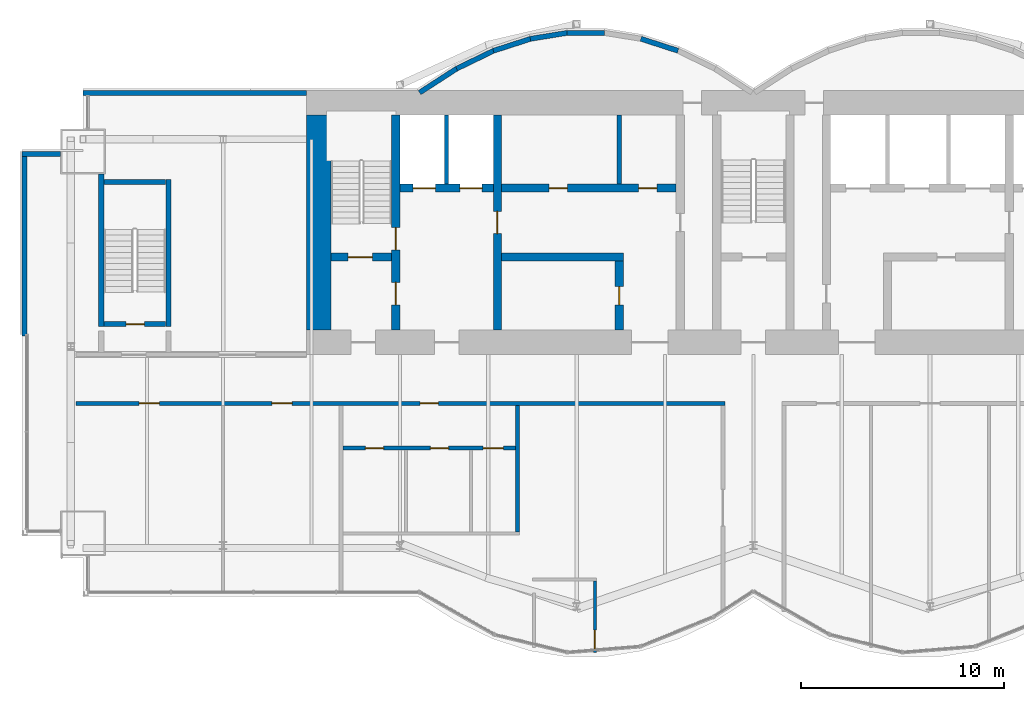
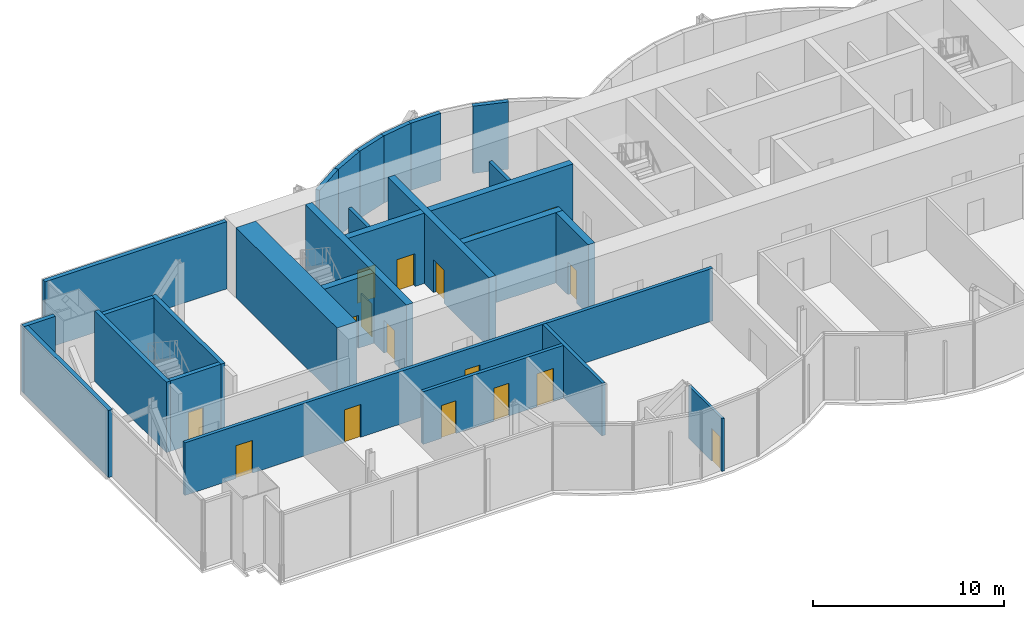
# One storey, part 10 of 16: 26 walls, 17 doors, 17 openings.
"""IFC4 building model written with IfcOpenShell, lengths in metres."""

from ifc_helpers import new_model, si_unit, direction, frame, frame_2d, origin, place, context, subcontext, project, spatial, rectangle, extrude, material, layer, layer_set, layer_usage, type_object, element, fill, save


model = new_model("IFC4")

# Units and contexts
model_context = context("Model", 3, precision=1e-05, world=origin(), true_north=direction((0.0, 1.0)))
body_context = subcontext(model_context, "Body", "Model", "MODEL_VIEW")
ifc_project = project(units=[si_unit("LENGTHUNIT", "METRE"), si_unit("AREAUNIT", "SQUARE_METRE"), si_unit("VOLUMEUNIT", "CUBIC_METRE"), si_unit("PLANEANGLEUNIT", "RADIAN"), si_unit("MASSUNIT", "GRAM", prefix="KILO")], contexts=[model_context])

# Site, building, storey
site_placement = place(None, origin())
site = spatial("IfcSite", under=ifc_project, at=site_placement, CompositionType="ELEMENT")
building_placement = place(site_placement, origin())
building = spatial("IfcBuilding", under=site, at=building_placement, Name="Bicima Exchange Tower", CompositionType="ELEMENT")
storey_placement = place(building_placement, frame((0.0, 0.0, 338.0)))
storey = spatial("IfcBuildingStorey", under=building, at=storey_placement, Name="L76", CompositionType="ELEMENT", Elevation=338.0)

# Wall
ifc_material_1 = material(Name="Gypsum board partition")
ifc_layer_1 = layer(ifc_material_1, 0.199951171875)
ifc_layer_set_1 = layer_set([ifc_layer_1], Name="Gypsum board partition")
wall_type_1 = type_object("IfcWallType", Name="Fire-rated gypsum partition 200 EI120", PredefinedType="PARTITIONING", material=ifc_layer_set_1)
wall_1_placement = place(storey_placement, frame((-15.10009765625, -4.60009765625, 0.0), z_axis=(0.0, 0.0, 1.0), x_axis=(0.0, 1.0, 0.0)))
element("IfcWall", 1, at=wall_1_placement, inside=storey, type_object=wall_type_1, Name="partition wall 9", PredefinedType="PARTITIONING", context=body_context, shape_type="SweptSolid", body=[
    extrude(rectangle(XDim=3.400146484375, YDim=0.199951171875, at=frame_2d((1.7001953125, 0.0))), origin(), (0.0, 0.0, 1.0), 3.3681640625),
])

# Wall, openings, doors
ifc_layer_2 = layer(ifc_material_1, 0.199951171875)
ifc_layer_set_2 = layer_set([ifc_layer_2], Name="Gypsum board partition")
wall_type_2 = type_object("IfcWallType", Name="Fire-rated gypsum partition 200 EI60", PredefinedType="PARTITIONING", material=ifc_layer_set_2)
wall_2_placement = place(storey_placement, frame((-20.199951171875, -17.60009765625, 0.0), z_axis=(0.0, 0.0, 1.0), x_axis=(1.0, 0.0, 0.0)))
wall_2 = element("IfcWall", 2, at=wall_2_placement, inside=storey, type_object=wall_type_2, Name="partition wall 3", PredefinedType="PARTITIONING", context=body_context, shape_type="SweptSolid", body=[
    extrude(rectangle(XDim=8.5, YDim=0.199951171875, at=frame_2d((4.25, 0.0))), origin(), (0.0, 0.0, 1.0), 3.3681640625),
])
opening_1_placement = place(wall_2_placement, frame((1.10009765625, 0.0, 0.0)))
opening_1 = element("IfcOpeningElement", 3, at=opening_1_placement, cuts=wall_2, Name="Opening L76-010", PredefinedType="OPENING", context=body_context, shape_type="SweptSolid", body=[
    extrude(rectangle(XDim=0.89990234375, YDim=2.10009765625, at=frame_2d((0.449951171875, 1.050048828125))), frame((0.0, 0.11181640625, 0.0), z_axis=(0.0, -1.0, 0.0), x_axis=(1.0, 0.0, 0.0)), (0.0, 0.0, 1.0), 0.223876953125),
])
opening_2_placement = place(wall_2_placement, frame((4.300048828125, 0.0, 0.0)))
opening_2 = element("IfcOpeningElement", 4, at=opening_2_placement, cuts=wall_2, Name="Opening L76-011", PredefinedType="OPENING", context=body_context, shape_type="SweptSolid", body=[
    extrude(rectangle(XDim=0.89990234375, YDim=2.10009765625, at=frame_2d((0.449951171875, 1.050048828125))), frame((0.0, 0.11181640625, 0.0), z_axis=(0.0, -1.0, 0.0), x_axis=(1.0, 0.0, 0.0)), (0.0, 0.0, 1.0), 0.223876953125),
])
opening_3_placement = place(wall_2_placement, frame((6.89990234375, 0.0, 0.0)))
opening_3 = element("IfcOpeningElement", 5, at=opening_3_placement, cuts=wall_2, Name="Opening L76-012", PredefinedType="OPENING", context=body_context, shape_type="SweptSolid", body=[
    extrude(rectangle(XDim=1.0, YDim=2.10009765625, at=frame_2d((0.5, 1.050048828125))), frame((0.0, 0.11181640625, 0.0), z_axis=(0.0, -1.0, 0.0), x_axis=(1.0, 0.0, 0.0)), (0.0, 0.0, 1.0), 0.223876953125),
])
ifc_material_2 = material(Name="Steel fire door leaf", Category="steel")
door_type_1 = type_object("IfcDoorType", Name="Door 1000 swing FD30S", OperationType="SINGLE_SWING_LEFT", PredefinedType="DOOR", material=ifc_material_2)
door_1_placement = place(opening_3_placement, frame((1.0, 0.0, 0.0), z_axis=(0.0, 0.0, 1.0), x_axis=(-1.0, 0.0, 0.0)))
door_1 = element("IfcDoor", 6, at=door_1_placement, inside=storey, type_object=door_type_1, Name="Door", OperationType="SINGLE_SWING_RIGHT", OverallHeight=2.10009765625, OverallWidth=1.0, PredefinedType="DOOR", context=body_context, shape_type="SweptSolid", body=[
    extrude(rectangle(XDim=1.0, YDim=2.10009765625, at=frame_2d((0.5, 1.050048828125))), frame((0.0, 0.02490234375, 0.0), z_axis=(0.0, -1.0, 0.0), x_axis=(1.0, 0.0, 0.0)), (0.0, 0.0, 1.0), 0.050048828125),
])
fill(opening_3, door_1)
door_type_2 = type_object("IfcDoorType", Name="Door 900 swing FD30S", OperationType="SINGLE_SWING_LEFT", PredefinedType="DOOR", material=ifc_material_2)
door_2_placement = place(opening_1_placement, frame((0.89990234375, 0.0, 0.0), z_axis=(0.0, 0.0, 1.0), x_axis=(-1.0, 0.0, 0.0)))
door_2 = element("IfcDoor", 7, at=door_2_placement, inside=storey, type_object=door_type_2, Name="Door", OperationType="SINGLE_SWING_LEFT", OverallHeight=2.10009765625, OverallWidth=0.89990234375, PredefinedType="DOOR", context=body_context, shape_type="SweptSolid", body=[
    extrude(rectangle(XDim=0.89990234375, YDim=2.10009765625, at=frame_2d((0.449951171875, 1.050048828125))), frame((0.0, 0.02490234375, 0.0), z_axis=(0.0, -1.0, 0.0), x_axis=(1.0, 0.0, 0.0)), (0.0, 0.0, 1.0), 0.050048828125),
])
fill(opening_1, door_2)
door_3_placement = place(opening_2_placement, frame((0.89990234375, 0.0, 0.0), z_axis=(0.0, 0.0, 1.0), x_axis=(-1.0, 0.0, 0.0)))
door_3 = element("IfcDoor", 8, at=door_3_placement, inside=storey, type_object=door_type_2, Name="Door", OperationType="SINGLE_SWING_RIGHT", OverallHeight=2.10009765625, OverallWidth=0.89990234375, PredefinedType="DOOR", context=body_context, shape_type="SweptSolid", body=[
    extrude(rectangle(XDim=0.89990234375, YDim=2.10009765625, at=frame_2d((0.449951171875, 1.050048828125))), frame((0.0, 0.02490234375, 0.0), z_axis=(0.0, -1.0, 0.0), x_axis=(1.0, 0.0, 0.0)), (0.0, 0.0, 1.0), 0.050048828125),
])
fill(opening_2, door_3)

wall_3_placement = place(storey_placement, frame((-33.340087890625, -15.39990234375, 0.0), z_axis=(0.0, 0.0, 1.0), x_axis=(1.0, 0.0, 0.0)))
wall_3 = element("IfcWall", 9, at=wall_3_placement, inside=storey, type_object=wall_type_2, Name="partition wall 4", PredefinedType="PARTITIONING", context=body_context, shape_type="SweptSolid", body=[
    extrude(rectangle(XDim=31.940185546875, YDim=0.199951171875, at=frame_2d((15.97021484375, 0.0))), origin(), (0.0, 0.0, 1.0), 3.3681640625),
])
opening_4_placement = place(wall_3_placement, frame((3.10009765625, 0.0, 0.0)))
opening_4 = element("IfcOpeningElement", 10, at=opening_4_placement, cuts=wall_3, Name="Opening L76-007", PredefinedType="OPENING", context=body_context, shape_type="SweptSolid", body=[
    extrude(rectangle(XDim=1.0, YDim=2.10009765625, at=frame_2d((0.5, 1.050048828125))), frame((0.0, 0.11181640625, 0.0), z_axis=(0.0, -1.0, 0.0), x_axis=(1.0, 0.0, 0.0)), (0.0, 0.0, 1.0), 0.223876953125),
])
opening_5_placement = place(wall_3_placement, frame((9.639892578125, 0.0, 0.0)))
opening_5 = element("IfcOpeningElement", 11, at=opening_5_placement, cuts=wall_3, Name="Opening L76-008", PredefinedType="OPENING", context=body_context, shape_type="SweptSolid", body=[
    extrude(rectangle(XDim=1.0, YDim=2.10009765625, at=frame_2d((0.5, 1.050048828125))), frame((0.0, 0.11181640625, 0.0), z_axis=(0.0, -1.0, 0.0), x_axis=(1.0, 0.0, 0.0)), (0.0, 0.0, 1.0), 0.223876953125),
])
opening_6_placement = place(wall_3_placement, frame((16.93994140625, 0.0, 0.0)))
opening_6 = element("IfcOpeningElement", 12, at=opening_6_placement, cuts=wall_3, Name="Opening L76-009", PredefinedType="OPENING", context=body_context, shape_type="SweptSolid", body=[
    extrude(rectangle(XDim=0.89990234375, YDim=2.10009765625, at=frame_2d((0.449951171875, 1.050048828125))), frame((0.0, 0.11181640625, 0.0), z_axis=(0.0, -1.0, 0.0), x_axis=(1.0, 0.0, 0.0)), (0.0, 0.0, 1.0), 0.223876953125),
])
door_4_placement = place(opening_4_placement, frame((1.0, 0.0, 0.0), z_axis=(0.0, 0.0, 1.0), x_axis=(-1.0, 0.0, 0.0)))
door_4 = element("IfcDoor", 13, at=door_4_placement, inside=storey, type_object=door_type_1, Name="Door", OperationType="SINGLE_SWING_LEFT", OverallHeight=2.10009765625, OverallWidth=1.0, PredefinedType="DOOR", context=body_context, shape_type="SweptSolid", body=[
    extrude(rectangle(XDim=1.0, YDim=2.10009765625, at=frame_2d((0.5, 1.050048828125))), frame((0.0, 0.02490234375, 0.0), z_axis=(0.0, -1.0, 0.0), x_axis=(1.0, 0.0, 0.0)), (0.0, 0.0, 1.0), 0.050048828125),
])
fill(opening_4, door_4)
door_5_placement = place(opening_5_placement, frame((1.0, 0.0, 0.0), z_axis=(0.0, 0.0, 1.0), x_axis=(-1.0, 0.0, 0.0)))
door_5 = element("IfcDoor", 14, at=door_5_placement, inside=storey, type_object=door_type_1, Name="Door", OperationType="SINGLE_SWING_RIGHT", OverallHeight=2.10009765625, OverallWidth=1.0, PredefinedType="DOOR", context=body_context, shape_type="SweptSolid", body=[
    extrude(rectangle(XDim=1.0, YDim=2.10009765625, at=frame_2d((0.5, 1.050048828125))), frame((0.0, 0.02490234375, 0.0), z_axis=(0.0, -1.0, 0.0), x_axis=(1.0, 0.0, 0.0)), (0.0, 0.0, 1.0), 0.050048828125),
])
fill(opening_5, door_5)
door_6_placement = place(opening_6_placement, frame((0.89990234375, 0.0, 0.0), z_axis=(0.0, 0.0, 1.0), x_axis=(-1.0, 0.0, 0.0)))
door_6 = element("IfcDoor", 15, at=door_6_placement, inside=storey, type_object=door_type_2, Name="Door", OperationType="SINGLE_SWING_RIGHT", OverallHeight=2.10009765625, OverallWidth=0.89990234375, PredefinedType="DOOR", context=body_context, shape_type="SweptSolid", body=[
    extrude(rectangle(XDim=0.89990234375, YDim=2.10009765625, at=frame_2d((0.449951171875, 1.050048828125))), frame((0.0, 0.02490234375, 0.0), z_axis=(0.0, -1.0, 0.0), x_axis=(1.0, 0.0, 0.0)), (0.0, 0.0, 1.0), 0.050048828125),
])
fill(opening_6, door_6)

# Walls
wall_4_placement = place(storey_placement, frame((-11.60009765625, -21.72509765625, 0.0), z_axis=(0.0, 0.0, 1.0), x_axis=(0.0, 1.0, 0.0)))
element("IfcWall", 16, at=wall_4_placement, inside=storey, type_object=wall_type_2, Name="partition wall 18", PredefinedType="PARTITIONING", context=body_context, shape_type="SweptSolid", body=[
    extrude(rectangle(XDim=6.22509765625, YDim=0.199951171875, at=frame_2d((3.112548828125, 0.0))), origin(), (0.0, 0.0, 1.0), 3.3681640625),
])
wall_5_placement = place(storey_placement, frame((-6.60009765625, -4.60009765625, 0.0), z_axis=(0.0, 0.0, 1.0), x_axis=(0.0, 1.0, 0.0)))
element("IfcWall", 17, at=wall_5_placement, inside=storey, type_object=wall_type_2, Name="partition wall 12", PredefinedType="PARTITIONING", context=body_context, shape_type="SweptSolid", body=[
    extrude(rectangle(XDim=3.400146484375, YDim=0.199951171875, at=frame_2d((1.7001953125, 0.0))), origin(), (0.0, 0.0, 1.0), 3.3681640625),
])

# Wall, opening, door
ifc_layer_3 = layer(ifc_material_1, 0.14990234375)
ifc_layer_set_3 = layer_set([ifc_layer_3], Name="Gypsum board partition")
wall_type_3 = type_object("IfcWallType", Name="Gypsum partition 150", PredefinedType="PARTITIONING", material=ifc_layer_set_3)
wall_6_placement = place(storey_placement, frame((-7.800048828125, -27.669921875, 0.0), z_axis=(0.0, 0.0, 1.0), x_axis=(0.0, 1.0, 0.0)))
wall_6 = element("IfcWall", 18, at=wall_6_placement, inside=storey, type_object=wall_type_3, Name="partition wall 20", PredefinedType="PARTITIONING", context=body_context, shape_type="SweptSolid", body=[
    extrude(rectangle(XDim=3.52490234375, YDim=0.14990234375, at=frame_2d((1.762451171875, 0.0))), origin(), (0.0, 0.0, 1.0), 3.3681640625),
])
opening_7_placement = place(wall_6_placement, frame((0.199951171875, 0.0, 0.0)))
opening_7 = element("IfcOpeningElement", 19, at=opening_7_placement, cuts=wall_6, Name="Opening L76-020", PredefinedType="OPENING", context=body_context, shape_type="SweptSolid", body=[
    extrude(rectangle(XDim=0.89990234375, YDim=2.10009765625, at=frame_2d((0.449951171875, 1.050048828125))), frame((0.0, 0.0869140625, 0.0), z_axis=(0.0, -1.0, 0.0), x_axis=(1.0, 0.0, 0.0)), (0.0, 0.0, 1.0), 0.173828125),
])
ifc_material_3 = material(Name="Timber door leaf", Category="wood")
door_type_3 = type_object("IfcDoorType", Name="Door 900 swing", OperationType="SINGLE_SWING_LEFT", PredefinedType="DOOR", material=ifc_material_3)
door_7_placement = place(opening_7_placement, origin())
door_7 = element("IfcDoor", 20, at=door_7_placement, inside=storey, type_object=door_type_3, Name="Door", OperationType="SINGLE_SWING_LEFT", OverallHeight=2.10009765625, OverallWidth=0.89990234375, PredefinedType="DOOR", context=body_context, shape_type="SweptSolid", body=[
    extrude(rectangle(XDim=0.89990234375, YDim=2.10009765625, at=frame_2d((0.449951171875, 1.050048828125))), frame((0.0, 0.02490234375, 0.0), z_axis=(0.0, -1.0, 0.0), x_axis=(1.0, 0.0, 0.0)), (0.0, 0.0, 1.0), 0.050048828125),
])
fill(opening_7, door_7)

# Walls
ifc_material_4 = material(Name="Concrete C40/50", Category="concrete")
ifc_layer_4 = layer(ifc_material_4, 1.199951171875)
ifc_layer_set_4 = layer_set([ifc_layer_4], Name="Concrete C40/50")
wall_type_4 = type_object("IfcWallType", Name="RC core wall 1200 C40/50", PredefinedType="SHEAR", material=ifc_layer_set_4)
wall_7_placement = place(storey_placement, frame((-21.39990234375, -11.800048828125, 0.0), z_axis=(0.0, 0.0, 1.0), x_axis=(0.0, 1.0, 0.0)))
element("IfcWall", 21, at=wall_7_placement, inside=storey, type_object=wall_type_4, Name="Core wall west", PredefinedType="SHEAR", context=body_context, shape_type="SweptSolid", body=[
    extrude(rectangle(XDim=10.60009765625, YDim=1.199951171875, at=frame_2d((5.300048828125, 0.0))), origin(), (0.0, 0.0, 1.0), 4.5),
])
ifc_layer_5 = layer(ifc_material_4, 0.39990234375)
ifc_layer_set_5 = layer_set([ifc_layer_5], Name="Concrete C40/50")
wall_type_5 = type_object("IfcWallType", Name="RC core wall 400 C40/50", PredefinedType="SHEAR", material=ifc_layer_set_5)
wall_8_placement = place(storey_placement, frame((-12.39990234375, -8.199951171875, 0.0), z_axis=(0.0, 0.0, 1.0), x_axis=(1.0, 0.0, 0.0)))
element("IfcWall", 22, at=wall_8_placement, inside=storey, type_object=wall_type_5, Name="shear wall 2", PredefinedType="SHEAR", context=body_context, shape_type="SweptSolid", body=[
    extrude(rectangle(XDim=6.0, YDim=0.39990234375, at=frame_2d((3.0, 0.0))), origin(), (0.0, 0.0, 1.0), 4.5),
])

# Wall, openings, doors
wall_9_placement = place(storey_placement, frame((-17.39990234375, -4.800048828125, 0.0), z_axis=(0.0, 0.0, 1.0), x_axis=(1.0, 0.0, 0.0)))
wall_9 = element("IfcWall", 23, at=wall_9_placement, inside=storey, type_object=wall_type_5, Name="shear wall 6", PredefinedType="SHEAR", context=body_context, shape_type="SweptSolid", body=[
    extrude(rectangle(XDim=13.599853515625, YDim=0.39990234375, at=frame_2d((6.7998046875, 0.0))), origin(), (0.0, 0.0, 1.0), 4.5),
])
opening_8_placement = place(wall_9_placement, frame((0.64990234375, 0.0, 0.0)))
opening_8 = element("IfcOpeningElement", 24, at=opening_8_placement, cuts=wall_9, Name="Opening LD-FF1-L76", PredefinedType="OPENING", context=body_context, shape_type="SweptSolid", body=[
    extrude(rectangle(XDim=1.10009765625, YDim=2.10009765625, at=frame_2d((0.550048828125, 1.050048828125))), frame((0.0, 0.2119140625, 0.0), z_axis=(0.0, -1.0, 0.0), x_axis=(1.0, 0.0, 0.0)), (0.0, 0.0, 1.0), 0.423828125),
])
opening_9_placement = place(wall_9_placement, frame((2.949951171875, 0.0, 0.0)))
opening_9 = element("IfcOpeningElement", 25, at=opening_9_placement, cuts=wall_9, Name="Opening LD-FF3-L76", PredefinedType="OPENING", context=body_context, shape_type="SweptSolid", body=[
    extrude(rectangle(XDim=1.10009765625, YDim=2.10009765625, at=frame_2d((0.550048828125, 1.050048828125))), frame((0.0, 0.2119140625, 0.0), z_axis=(0.0, -1.0, 0.0), x_axis=(1.0, 0.0, 0.0)), (0.0, 0.0, 1.0), 0.423828125),
])
opening_10_placement = place(wall_9_placement, frame((7.35009765625, 0.0, 0.0)))
opening_10 = element("IfcOpeningElement", 26, at=opening_10_placement, cuts=wall_9, Name="Opening L76-C12", PredefinedType="OPENING", context=body_context, shape_type="SweptSolid", body=[
    extrude(rectangle(XDim=0.89990234375, YDim=2.10009765625, at=frame_2d((0.449951171875, 1.050048828125))), frame((0.0, 0.2119140625, 0.0), z_axis=(0.0, -1.0, 0.0), x_axis=(1.0, 0.0, 0.0)), (0.0, 0.0, 1.0), 0.423828125),
])
opening_11_placement = place(wall_9_placement, frame((11.75, 0.0, 0.0)))
opening_11 = element("IfcOpeningElement", 27, at=opening_11_placement, cuts=wall_9, Name="Opening L76-C13", PredefinedType="OPENING", context=body_context, shape_type="SweptSolid", body=[
    extrude(rectangle(XDim=0.89990234375, YDim=2.10009765625, at=frame_2d((0.449951171875, 1.050048828125))), frame((0.0, 0.2119140625, 0.0), z_axis=(0.0, -1.0, 0.0), x_axis=(1.0, 0.0, 0.0)), (0.0, 0.0, 1.0), 0.423828125),
])
door_8_placement = place(opening_10_placement, origin())
door_8 = element("IfcDoor", 28, at=door_8_placement, inside=storey, type_object=door_type_2, Name="Core door", OperationType="SINGLE_SWING_RIGHT", OverallHeight=2.10009765625, OverallWidth=0.89990234375, PredefinedType="DOOR", context=body_context, shape_type="SweptSolid", body=[
    extrude(rectangle(XDim=0.89990234375, YDim=2.10009765625, at=frame_2d((0.449951171875, 1.050048828125))), frame((0.0, 0.02490234375, 0.0), z_axis=(0.0, -1.0, 0.0), x_axis=(1.0, 0.0, 0.0)), (0.0, 0.0, 1.0), 0.050048828125),
])
fill(opening_10, door_8)
door_9_placement = place(opening_11_placement, origin())
door_9 = element("IfcDoor", 29, at=door_9_placement, inside=storey, type_object=door_type_2, Name="Core door", OperationType="SINGLE_SWING_LEFT", OverallHeight=2.10009765625, OverallWidth=0.89990234375, PredefinedType="DOOR", context=body_context, shape_type="SweptSolid", body=[
    extrude(rectangle(XDim=0.89990234375, YDim=2.10009765625, at=frame_2d((0.449951171875, 1.050048828125))), frame((0.0, 0.02490234375, 0.0), z_axis=(0.0, -1.0, 0.0), x_axis=(1.0, 0.0, 0.0)), (0.0, 0.0, 1.0), 0.050048828125),
])
fill(opening_11, door_9)
ifc_material_5 = material(Name="Stainless steel", Category="steel")
door_type_4 = type_object("IfcDoorType", Name="Lift landing door 1100 sliding", OperationType="DOUBLE_DOOR_SLIDING", PredefinedType="DOOR", material=ifc_material_5)
door_10_placement = place(opening_8_placement, origin())
door_10 = element("IfcDoor", 30, at=door_10_placement, inside=storey, type_object=door_type_4, Name="Lift landing door FF1", OperationType="DOUBLE_DOOR_SLIDING", OverallHeight=2.10009765625, OverallWidth=1.10009765625, PredefinedType="DOOR", context=body_context, shape_type="SweptSolid", body=[
    extrude(rectangle(XDim=1.10009765625, YDim=2.10009765625, at=frame_2d((0.550048828125, 1.050048828125))), frame((0.0, 0.02490234375, 0.0), z_axis=(0.0, -1.0, 0.0), x_axis=(1.0, 0.0, 0.0)), (0.0, 0.0, 1.0), 0.050048828125),
])
fill(opening_8, door_10)
door_11_placement = place(opening_9_placement, origin())
door_11 = element("IfcDoor", 31, at=door_11_placement, inside=storey, type_object=door_type_4, Name="Lift landing door FF3", OperationType="DOUBLE_DOOR_SLIDING", OverallHeight=2.10009765625, OverallWidth=1.10009765625, PredefinedType="DOOR", context=body_context, shape_type="SweptSolid", body=[
    extrude(rectangle(XDim=1.10009765625, YDim=2.10009765625, at=frame_2d((0.550048828125, 1.050048828125))), frame((0.0, 0.02490234375, 0.0), z_axis=(0.0, -1.0, 0.0), x_axis=(1.0, 0.0, 0.0)), (0.0, 0.0, 1.0), 0.050048828125),
])
fill(opening_9, door_11)

# Wall, opening, door
wall_10_placement = place(storey_placement, frame((-12.60009765625, -11.800048828125, 0.0), z_axis=(0.0, 0.0, 1.0), x_axis=(0.0, 1.0, 0.0)))
wall_10 = element("IfcWall", 32, at=wall_10_placement, inside=storey, type_object=wall_type_5, Name="shear wall 10", PredefinedType="SHEAR", context=body_context, shape_type="SweptSolid", body=[
    extrude(rectangle(XDim=10.60009765625, YDim=0.39990234375, at=frame_2d((5.300048828125, 0.0))), origin(), (0.0, 0.0, 1.0), 4.5),
])
opening_12_placement = place(wall_10_placement, frame((4.75, 0.0, 0.0)))
opening_12 = element("IfcOpeningElement", 33, at=opening_12_placement, cuts=wall_10, Name="Opening L76-C07", PredefinedType="OPENING", context=body_context, shape_type="SweptSolid", body=[
    extrude(rectangle(XDim=1.10009765625, YDim=2.10009765625, at=frame_2d((0.550048828125, 1.050048828125))), frame((0.0, 0.2119140625, 0.0), z_axis=(0.0, -1.0, 0.0), x_axis=(1.0, 0.0, 0.0)), (0.0, 0.0, 1.0), 0.423828125),
])
door_type_5 = type_object("IfcDoorType", Name="Door 1100 swing FD60S", OperationType="SINGLE_SWING_LEFT", PredefinedType="DOOR", material=ifc_material_2)
door_12_placement = place(opening_12_placement, origin())
door_12 = element("IfcDoor", 34, at=door_12_placement, inside=storey, type_object=door_type_5, Name="Core door", OperationType="SINGLE_SWING_LEFT", OverallHeight=2.10009765625, OverallWidth=1.10009765625, PredefinedType="DOOR", context=body_context, shape_type="SweptSolid", body=[
    extrude(rectangle(XDim=1.10009765625, YDim=2.10009765625, at=frame_2d((0.550048828125, 1.050048828125))), frame((0.0, 0.02490234375, 0.0), z_axis=(0.0, -1.0, 0.0), x_axis=(1.0, 0.0, 0.0)), (0.0, 0.0, 1.0), 0.050048828125),
])
fill(opening_12, door_12)

wall_11_placement = place(storey_placement, frame((-6.60009765625, -11.800048828125, 0.0), z_axis=(0.0, 0.0, 1.0), x_axis=(0.0, 1.0, 0.0)))
wall_11 = element("IfcWall", 35, at=wall_11_placement, inside=storey, type_object=wall_type_5, Name="shear wall 11", PredefinedType="SHEAR", context=body_context, shape_type="SweptSolid", body=[
    extrude(rectangle(XDim=3.400146484375, YDim=0.39990234375, at=frame_2d((1.7001953125, 0.0))), origin(), (0.0, 0.0, 1.0), 4.5),
])
opening_13_placement = place(wall_11_placement, frame((1.25, 0.0, 0.0)))
opening_13 = element("IfcOpeningElement", 36, at=opening_13_placement, cuts=wall_11, Name="Opening L76-C14", PredefinedType="OPENING", context=body_context, shape_type="SweptSolid", body=[
    extrude(rectangle(XDim=0.89990234375, YDim=2.10009765625, at=frame_2d((0.449951171875, 1.050048828125))), frame((0.0, 0.2119140625, 0.0), z_axis=(0.0, -1.0, 0.0), x_axis=(1.0, 0.0, 0.0)), (0.0, 0.0, 1.0), 0.423828125),
])
door_13_placement = place(opening_13_placement, origin())
door_13 = element("IfcDoor", 37, at=door_13_placement, inside=storey, type_object=door_type_2, Name="Core door", OperationType="SINGLE_SWING_RIGHT", OverallHeight=2.10009765625, OverallWidth=0.89990234375, PredefinedType="DOOR", context=body_context, shape_type="SweptSolid", body=[
    extrude(rectangle(XDim=0.89990234375, YDim=2.10009765625, at=frame_2d((0.449951171875, 1.050048828125))), frame((0.0, 0.02490234375, 0.0), z_axis=(0.0, -1.0, 0.0), x_axis=(1.0, 0.0, 0.0)), (0.0, 0.0, 1.0), 0.050048828125),
])
fill(opening_13, door_13)

ifc_material_6 = material(Name="Concrete C50/60", Category="concrete")
ifc_layer_6 = layer(ifc_material_6, 0.39990234375)
ifc_layer_set_6 = layer_set([ifc_layer_6], Name="Concrete C50/60")
wall_type_6 = type_object("IfcWallType", Name="RC core wall 400 C50/60", PredefinedType="SHEAR", material=ifc_layer_set_6)
wall_12_placement = place(storey_placement, frame((-20.800048828125, -8.199951171875, 0.0), z_axis=(0.0, 0.0, 1.0), x_axis=(1.0, 0.0, 0.0)))
wall_12 = element("IfcWall", 38, at=wall_12_placement, inside=storey, type_object=wall_type_6, Name="stair wall 1", PredefinedType="SHEAR", context=body_context, shape_type="SweptSolid", body=[
    extrude(rectangle(XDim=3.0, YDim=0.39990234375, at=frame_2d((1.5, 0.0))), origin(), (0.0, 0.0, 1.0), 4.5),
])
opening_14_placement = place(wall_12_placement, frame((0.85009765625, 0.0, 0.0)))
opening_14 = element("IfcOpeningElement", 39, at=opening_14_placement, cuts=wall_12, Name="Opening L76-C01", PredefinedType="OPENING", context=body_context, shape_type="SweptSolid", body=[
    extrude(rectangle(XDim=1.199951171875, YDim=2.10009765625, at=frame_2d((0.60009765625, 1.050048828125))), frame((0.0, 0.2119140625, 0.0), z_axis=(0.0, -1.0, 0.0), x_axis=(1.0, 0.0, 0.0)), (0.0, 0.0, 1.0), 0.423828125),
])
door_type_6 = type_object("IfcDoorType", Name="Door 1200 swing FD60S", OperationType="SINGLE_SWING_LEFT", PredefinedType="DOOR", material=ifc_material_2)
door_14_placement = place(opening_14_placement, origin())
door_14 = element("IfcDoor", 40, at=door_14_placement, inside=storey, type_object=door_type_6, Name="Core door", OperationType="SINGLE_SWING_LEFT", OverallHeight=2.10009765625, OverallWidth=1.199951171875, PredefinedType="DOOR", context=body_context, shape_type="SweptSolid", body=[
    extrude(rectangle(XDim=1.199951171875, YDim=2.10009765625, at=frame_2d((0.60009765625, 1.050048828125))), frame((0.0, 0.02490234375, 0.0), z_axis=(0.0, -1.0, 0.0), x_axis=(1.0, 0.0, 0.0)), (0.0, 0.0, 1.0), 0.050048828125),
])
fill(opening_14, door_14)

# Wall, openings, doors
wall_13_placement = place(storey_placement, frame((-17.60009765625, -11.800048828125, 0.0), z_axis=(0.0, 0.0, 1.0), x_axis=(0.0, 1.0, 0.0)))
wall_13 = element("IfcWall", 41, at=wall_13_placement, inside=storey, type_object=wall_type_6, Name="stair wall 8", PredefinedType="SHEAR", context=body_context, shape_type="SweptSolid", body=[
    extrude(rectangle(XDim=10.60009765625, YDim=0.39990234375, at=frame_2d((5.300048828125, 0.0))), origin(), (0.0, 0.0, 1.0), 4.5),
])
opening_15_placement = place(wall_13_placement, frame((1.25, 0.0, 0.0)))
opening_15 = element("IfcOpeningElement", 42, at=opening_15_placement, cuts=wall_13, Name="Opening L76-C02", PredefinedType="OPENING", context=body_context, shape_type="SweptSolid", body=[
    extrude(rectangle(XDim=1.10009765625, YDim=2.10009765625, at=frame_2d((0.550048828125, 1.050048828125))), frame((0.0, 0.2119140625, 0.0), z_axis=(0.0, -1.0, 0.0), x_axis=(1.0, 0.0, 0.0)), (0.0, 0.0, 1.0), 0.423828125),
])
opening_16_placement = place(wall_13_placement, frame((3.949951171875, 0.0, 0.0)))
opening_16 = element("IfcOpeningElement", 43, at=opening_16_placement, cuts=wall_13, Name="Opening L76-C06", PredefinedType="OPENING", context=body_context, shape_type="SweptSolid", body=[
    extrude(rectangle(XDim=1.10009765625, YDim=2.10009765625, at=frame_2d((0.550048828125, 1.050048828125))), frame((0.0, 0.2119140625, 0.0), z_axis=(0.0, -1.0, 0.0), x_axis=(1.0, 0.0, 0.0)), (0.0, 0.0, 1.0), 0.423828125),
])
door_15_placement = place(opening_15_placement, frame((1.10009765625, 0.0, 0.0), z_axis=(0.0, 0.0, 1.0), x_axis=(-1.0, 0.0, 0.0)))
door_15 = element("IfcDoor", 44, at=door_15_placement, inside=storey, type_object=door_type_5, Name="Core door", OperationType="SINGLE_SWING_LEFT", OverallHeight=2.10009765625, OverallWidth=1.10009765625, PredefinedType="DOOR", context=body_context, shape_type="SweptSolid", body=[
    extrude(rectangle(XDim=1.10009765625, YDim=2.10009765625, at=frame_2d((0.550048828125, 1.050048828125))), frame((0.0, 0.02490234375, 0.0), z_axis=(0.0, -1.0, 0.0), x_axis=(1.0, 0.0, 0.0)), (0.0, 0.0, 1.0), 0.050048828125),
])
fill(opening_15, door_15)
door_16_placement = place(opening_16_placement, frame((1.10009765625, 0.0, 0.0), z_axis=(0.0, 0.0, 1.0), x_axis=(-1.0, 0.0, 0.0)))
door_16 = element("IfcDoor", 45, at=door_16_placement, inside=storey, type_object=door_type_5, Name="Core door", OperationType="SINGLE_SWING_LEFT", OverallHeight=2.10009765625, OverallWidth=1.10009765625, PredefinedType="DOOR", context=body_context, shape_type="SweptSolid", body=[
    extrude(rectangle(XDim=1.10009765625, YDim=2.10009765625, at=frame_2d((0.550048828125, 1.050048828125))), frame((0.0, 0.02490234375, 0.0), z_axis=(0.0, -1.0, 0.0), x_axis=(1.0, 0.0, 0.0)), (0.0, 0.0, 1.0), 0.050048828125),
])
fill(opening_16, door_16)

# Walls
ifc_layer_7 = layer(ifc_material_6, 0.25)
ifc_layer_set_7 = layer_set([ifc_layer_7], Name="Concrete C50/60")
wall_type_7 = type_object("IfcWallType", Name="RC stair enclosure wall 250 C50/60", PredefinedType="SHEAR", material=ifc_layer_set_7)
wall_14_placement = place(storey_placement, frame((-32.10009765625, -11.625, 0.0), z_axis=(0.0, 0.0, 1.0), x_axis=(0.0, 1.0, 0.0)))
element("IfcWall", 46, at=wall_14_placement, inside=storey, type_object=wall_type_7, Name="West end exit stair wall W", PredefinedType="SHEAR", context=body_context, shape_type="SweptSolid", body=[
    extrude(rectangle(XDim=7.52490234375, YDim=0.25, at=frame_2d((3.762451171875, 0.0))), origin(), (0.0, 0.0, 1.0), 4.5),
])
wall_15_placement = place(storey_placement, frame((-28.800048828125, -11.625, 0.0), z_axis=(0.0, 0.0, 1.0), x_axis=(0.0, 1.0, 0.0)))
element("IfcWall", 47, at=wall_15_placement, inside=storey, type_object=wall_type_7, Name="West end exit stair wall E", PredefinedType="SHEAR", context=body_context, shape_type="SweptSolid", body=[
    extrude(rectangle(XDim=7.25, YDim=0.25, at=frame_2d((3.625, 0.0))), origin(), (0.0, 0.0, 1.0), 4.5),
])

# Wall, opening, door
wall_16_placement = place(storey_placement, frame((-31.97509765625, -11.5, 0.0), z_axis=(0.0, 0.0, 1.0), x_axis=(1.0, 0.0, 0.0)))
wall_16 = element("IfcWall", 48, at=wall_16_placement, inside=storey, type_object=wall_type_7, Name="West end exit stair wall S", PredefinedType="SHEAR", context=body_context, shape_type="SweptSolid", body=[
    extrude(rectangle(XDim=3.050048828125, YDim=0.25, at=frame_2d((1.52490234375, 0.0))), origin(), (0.0, 0.0, 1.0), 4.5),
])
opening_17_placement = place(wall_16_placement, frame((1.10009765625, 0.0, 0.0)))
opening_17 = element("IfcOpeningElement", 49, at=opening_17_placement, cuts=wall_16, Name="Opening L76-002", PredefinedType="OPENING", context=body_context, shape_type="SweptSolid", body=[
    extrude(rectangle(XDim=0.89990234375, YDim=2.10009765625, at=frame_2d((0.449951171875, 1.050048828125))), frame((0.0, 0.136962890625, 0.0), z_axis=(0.0, -1.0, 0.0), x_axis=(1.0, 0.0, 0.0)), (0.0, 0.0, 1.0), 0.27392578125),
])
door_type_7 = type_object("IfcDoorType", Name="Door 900 swing FD60S", OperationType="SINGLE_SWING_LEFT", PredefinedType="DOOR", material=ifc_material_2)
door_17_placement = place(opening_17_placement, origin())
door_17 = element("IfcDoor", 50, at=door_17_placement, inside=storey, type_object=door_type_7, Name="Door", OperationType="SINGLE_SWING_LEFT", OverallHeight=2.10009765625, OverallWidth=0.89990234375, PredefinedType="DOOR", context=body_context, shape_type="SweptSolid", body=[
    extrude(rectangle(XDim=0.89990234375, YDim=2.10009765625, at=frame_2d((0.449951171875, 1.050048828125))), frame((0.0, 0.02490234375, 0.0), z_axis=(0.0, -1.0, 0.0), x_axis=(1.0, 0.0, 0.0)), (0.0, 0.0, 1.0), 0.050048828125),
])
fill(opening_17, door_17)

# Walls
wall_17_placement = place(storey_placement, frame((-31.97509765625, -4.5, 0.0), z_axis=(0.0, 0.0, 1.0), x_axis=(1.0, 0.0, 0.0)))
element("IfcWall", 51, at=wall_17_placement, inside=storey, type_object=wall_type_7, Name="West end exit stair wall N", PredefinedType="SHEAR", context=body_context, shape_type="SweptSolid", body=[
    extrude(rectangle(XDim=3.050048828125, YDim=0.25, at=frame_2d((1.52490234375, 0.0))), origin(), (0.0, 0.0, 1.0), 4.5),
])
ifc_layer_8 = layer(ifc_material_4, 0.25)
ifc_layer_set_8 = layer_set([ifc_layer_8], Name="Concrete C40/50")
ifc_layer_usage = layer_usage(ifc_layer_set_8, "AXIS2", "POSITIVE", -0.125)
wall_type_8 = type_object("IfcWallType", Name="Rear backup wall 250", PredefinedType="STANDARD", material=ifc_layer_set_8)
wall_18_placement = place(storey_placement, frame((-3.705078125, 1.955078125, 0.0), z_axis=(0.0, 0.0, 1.0), x_axis=(-0.951495806175, 0.307661714928, 0.0)))
element("IfcWall", 52, at=wall_18_placement, inside=storey, type_object=wall_type_8, material=ifc_layer_usage, Name="Rear backup wall L76 13", PredefinedType="STANDARD", context=body_context, shape_type="SweptSolid", body=[
    extrude(rectangle(XDim=1.9267578125, YDim=0.25, at=frame_2d((0.96337890625, 0.0))), origin(), (0.0, 0.0, 1.0), 4.300048828125),
])
wall_19_placement = place(storey_placement, frame((-7.333251953125, 2.837890625, 0.0), z_axis=(0.0, 0.0, 1.0), x_axis=(-1.0, 0.0, 0.0)))
element("IfcWall", 53, at=wall_19_placement, inside=storey, type_object=wall_type_8, material=ifc_layer_usage, Name="Rear backup wall L76 15", PredefinedType="STANDARD", context=body_context, shape_type="SweptSolid", body=[
    extrude(rectangle(XDim=1.83349609375, YDim=0.25, at=frame_2d((0.916748046875, 0.0))), origin(), (0.0, 0.0, 1.0), 4.300048828125),
])
wall_20_placement = place(storey_placement, frame((-9.146728515625, 2.839599609375, 0.0), z_axis=(0.0, 0.0, 1.0), x_axis=(-0.987181718931, -0.159600293885, 0.0)))
element("IfcWall", 54, at=wall_20_placement, inside=storey, type_object=wall_type_8, material=ifc_layer_usage, Name="Rear backup wall L76 16", PredefinedType="STANDARD", context=body_context, shape_type="SweptSolid", body=[
    extrude(rectangle(XDim=1.857177734375, YDim=0.25, at=frame_2d((0.9287109375, 0.0))), origin(), (0.0, 0.0, 1.0), 4.300048828125),
])
wall_21_placement = place(storey_placement, frame((-10.961669921875, 2.5478515625, 0.0), z_axis=(0.0, 0.0, 1.0), x_axis=(-0.951495806175, -0.307661714928, 0.0)))
element("IfcWall", 55, at=wall_21_placement, inside=storey, type_object=wall_type_8, material=ifc_layer_usage, Name="Rear backup wall L76 17", PredefinedType="STANDARD", context=body_context, shape_type="SweptSolid", body=[
    extrude(rectangle(XDim=1.9267578125, YDim=0.25, at=frame_2d((0.96337890625, 0.0))), origin(), (0.0, 0.0, 1.0), 4.300048828125),
])
wall_22_placement = place(storey_placement, frame((-12.77880859375, 1.961669921875, 0.0), z_axis=(0.0, 0.0, 1.0), x_axis=(-0.89982408427, -0.436252928206, 0.0)))
element("IfcWall", 56, at=wall_22_placement, inside=storey, type_object=wall_type_8, material=ifc_layer_usage, Name="Rear backup wall L76 18", PredefinedType="STANDARD", context=body_context, shape_type="SweptSolid", body=[
    extrude(rectangle(XDim=2.03759765625, YDim=0.25, at=frame_2d((1.018798828125, 0.0))), origin(), (0.0, 0.0, 1.0), 4.300048828125),
])
wall_23_placement = place(storey_placement, frame((-14.598876953125, 1.080078125, 0.0), z_axis=(0.0, 0.0, 1.0), x_axis=(-0.83981312244, -0.542875602121, 0.0)))
element("IfcWall", 57, at=wall_23_placement, inside=storey, type_object=wall_type_8, material=ifc_layer_usage, Name="Rear backup wall L76 19", PredefinedType="STANDARD", context=body_context, shape_type="SweptSolid", body=[
    extrude(rectangle(XDim=2.182861328125, YDim=0.25, at=frame_2d((1.09130859375, 0.0))), origin(), (0.0, 0.0, 1.0), 4.300048828125),
])
wall_24_placement = place(storey_placement, frame((-22.0, -0.125, 0.0), z_axis=(0.0, 0.0, 1.0), x_axis=(-1.0, 0.0, 0.0)))
element("IfcWall", 58, at=wall_24_placement, inside=storey, type_object=wall_type_8, material=ifc_layer_usage, Name="Rear backup wall L76 20", PredefinedType="STANDARD", context=body_context, shape_type="SweptSolid", body=[
    extrude(rectangle(XDim=11.0, YDim=0.25, at=frame_2d((5.5, 0.0))), origin(), (0.0, 0.0, 1.0), 4.300048828125),
])
wall_25_placement = place(storey_placement, frame((-34.10009765625, -3.125, 0.0), z_axis=(0.0, 0.0, 1.0), x_axis=(-1.0, 0.0, 0.0)))
element("IfcWall", 59, at=wall_25_placement, inside=storey, type_object=wall_type_8, material=ifc_layer_usage, Name="Rear backup wall L76 22", PredefinedType="STANDARD", context=body_context, shape_type="SweptSolid", body=[
    extrude(rectangle(XDim=1.89990234375, YDim=0.25, at=frame_2d((0.949951171875, 0.0))), origin(), (0.0, 0.0, 1.0), 4.300048828125),
])
wall_26_placement = place(storey_placement, frame((-35.875, -3.0, 0.0), z_axis=(0.0, 0.0, 1.0), x_axis=(0.0, -1.0, 0.0)))
element("IfcWall", 60, at=wall_26_placement, inside=storey, type_object=wall_type_8, material=ifc_layer_usage, Name="Rear backup wall L76 23", PredefinedType="STANDARD", context=body_context, shape_type="SweptSolid", body=[
    extrude(rectangle(XDim=9.090087890625, YDim=0.25, at=frame_2d((4.544921875, 0.0))), origin(), (0.0, 0.0, 1.0), 4.300048828125),
])

save(model, "model.ifc")
